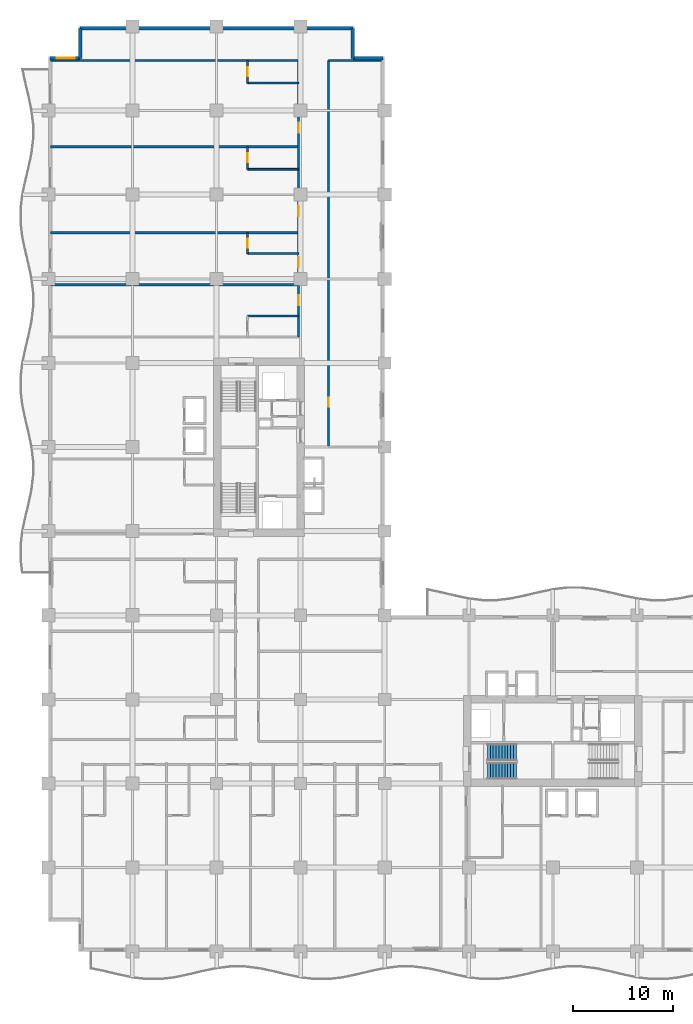
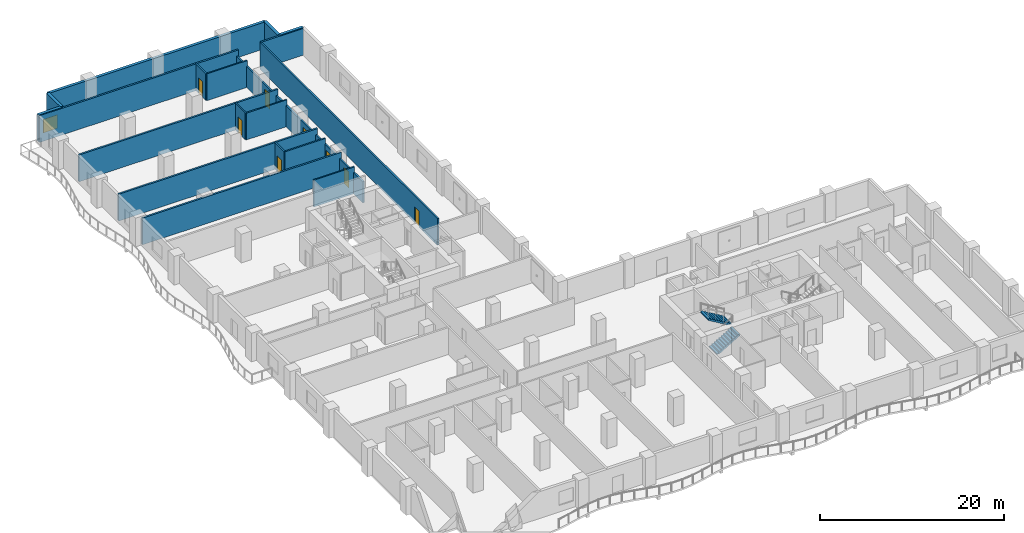
# One storey, part 11 of 18: 19 walls, 8 doors, 2 stair flights, 1 window, 9 openings, 1 element without a shape of its own.
"""IFC4 building model written with IfcOpenShell, lengths in metres."""

from ifc_helpers import new_model, si_unit, direction, frame, frame_2d, origin, place, context, subcontext, project, spatial, polyline, rectangle, outline, extrude, material, layer, layer_set, type_object, element, fill, aggregate, save


model = new_model("IFC4")

# Units and contexts
model_context = context("Model", 3, precision=1e-05, world=origin(), true_north=direction((0.0, 1.0)))
body_context = subcontext(model_context, "Body", "Model", "MODEL_VIEW")
ifc_project = project(units=[si_unit("LENGTHUNIT", "METRE"), si_unit("AREAUNIT", "SQUARE_METRE"), si_unit("VOLUMEUNIT", "CUBIC_METRE"), si_unit("PLANEANGLEUNIT", "RADIAN"), si_unit("MASSUNIT", "GRAM", prefix="KILO")], contexts=[model_context])

# Site, building, storey
site_placement = place(None, origin())
site = spatial("IfcSite", under=ifc_project, at=site_placement, CompositionType="ELEMENT")
building_placement = place(site_placement, origin())
building = spatial("IfcBuilding", under=site, at=building_placement, Name="Koriwani Terraces Tower", CompositionType="ELEMENT")
storey_placement = place(building_placement, frame((0.0, 0.0, 107.60009765625)))
storey = spatial("IfcBuildingStorey", under=building, at=storey_placement, Name="L25", CompositionType="ELEMENT", Elevation=107.60009765625)

# Wall, openings, doors
ifc_material_1 = material(Name="Autoclaved Cellular Concrete Blockwork", Category="masonry")
ifc_layer_1 = layer(ifc_material_1, 0.199951171875, Name="Autoclaved Cellular Concrete Blockwork")
ifc_layer_set_1 = layer_set([ifc_layer_1], Name="Autoclaved Cellular Concrete Blockwork")
wall_type_1 = type_object("IfcWallType", Name="WALL_CORRIDOR_200", PredefinedType="PARTITIONING", material=ifc_layer_set_1)
wall_1_placement = place(storey_placement, frame((25.0, 61.39990234375, 0.0), z_axis=(0.0, 0.0, 1.0), x_axis=(0.0, 1.0, 0.0)))
wall_1 = element("IfcWall", 1, at=wall_1_placement, inside=storey, type_object=wall_type_1, Name="L25 Interior Wall WCOR-L25-NE-0", PredefinedType="PARTITIONING", context=body_context, shape_type="SweptSolid", body=[
    extrude(rectangle(XDim=27.60009765625, YDim=0.199951171875, at=frame_2d((13.800048828125, 0.0))), origin(), (0.0, 0.0, 1.0), 2.7998046875),
])
opening_1_placement = place(wall_1_placement, frame((3.179931640625, 0.0, 0.0)))
opening_1 = element("IfcOpeningElement", 2, at=opening_1_placement, cuts=wall_1, Name="Opening D-05", PredefinedType="OPENING", context=body_context, shape_type="SweptSolid", body=[
    extrude(rectangle(XDim=1.0, YDim=2.14990234375, at=frame_2d((0.5, 1.074951171875))), frame((0.0, 0.10986328125, 0.0), z_axis=(0.0, -1.0, 0.0), x_axis=(1.0, 0.0, 0.0)), (0.0, 0.0, 1.0), 0.219970703125),
])
opening_2_placement = place(wall_1_placement, frame((6.969970703125, 0.0, 0.0)))
opening_2 = element("IfcOpeningElement", 3, at=opening_2_placement, cuts=wall_1, Name="Opening D-05", PredefinedType="OPENING", context=body_context, shape_type="SweptSolid", body=[
    extrude(rectangle(XDim=1.0, YDim=2.14990234375, at=frame_2d((0.5, 1.074951171875))), frame((0.0, 0.10986328125, 0.0), z_axis=(0.0, -1.0, 0.0), x_axis=(1.0, 0.0, 0.0)), (0.0, 0.0, 1.0), 0.219970703125),
])
opening_3_placement = place(wall_1_placement, frame((12.034912109375, 0.0, 0.0)))
opening_3 = element("IfcOpeningElement", 4, at=opening_3_placement, cuts=wall_1, Name="Opening D-05", PredefinedType="OPENING", context=body_context, shape_type="SweptSolid", body=[
    extrude(rectangle(XDim=1.0, YDim=2.14990234375, at=frame_2d((0.5, 1.074951171875))), frame((0.0, 0.10986328125, 0.0), z_axis=(0.0, -1.0, 0.0), x_axis=(1.0, 0.0, 0.0)), (0.0, 0.0, 1.0), 0.219970703125),
])
opening_4_placement = place(wall_1_placement, frame((20.385009765625, 0.0, 0.0)))
opening_4 = element("IfcOpeningElement", 5, at=opening_4_placement, cuts=wall_1, Name="Opening D-05", PredefinedType="OPENING", context=body_context, shape_type="SweptSolid", body=[
    extrude(rectangle(XDim=1.0, YDim=2.14990234375, at=frame_2d((0.5, 1.074951171875))), frame((0.0, 0.10986328125, 0.0), z_axis=(0.0, -1.0, 0.0), x_axis=(1.0, 0.0, 0.0)), (0.0, 0.0, 1.0), 0.219970703125),
])
ifc_material_2 = material(Name="Architectural Oak Fire Door", Category="wood")
door_type_1 = type_object("IfcDoorType", Name="DOOR_SUITE_ENTRY_1000X2150", OperationType="NOTDEFINED", PredefinedType="DOOR", material=ifc_material_2)
door_1_placement = place(opening_1_placement, origin())
door_1 = element("IfcDoor", 6, at=door_1_placement, inside=storey, type_object=door_type_1, Name="Luxury Hotel Suite 25NE1 Entrance Door", OperationType="SINGLE_SWING_RIGHT", OverallHeight=2.14990234375, OverallWidth=1.0, PredefinedType="DOOR", context=body_context, shape_type="SweptSolid", body=[
    extrude(rectangle(XDim=1.0, YDim=2.14990234375, at=frame_2d((0.5, 1.074951171875))), frame((0.0, 0.02490234375, 0.0), z_axis=(0.0, -1.0, 0.0), x_axis=(1.0, 0.0, 0.0)), (0.0, 0.0, 1.0), 0.050048828125),
])
fill(opening_1, door_1)
door_2_placement = place(opening_2_placement, origin())
door_2 = element("IfcDoor", 7, at=door_2_placement, inside=storey, type_object=door_type_1, Name="Luxury Hotel Suite 25NE2 Entrance Door", OperationType="SINGLE_SWING_RIGHT", OverallHeight=2.14990234375, OverallWidth=1.0, PredefinedType="DOOR", context=body_context, shape_type="SweptSolid", body=[
    extrude(rectangle(XDim=1.0, YDim=2.14990234375, at=frame_2d((0.5, 1.074951171875))), frame((0.0, 0.02490234375, 0.0), z_axis=(0.0, -1.0, 0.0), x_axis=(1.0, 0.0, 0.0)), (0.0, 0.0, 1.0), 0.050048828125),
])
fill(opening_2, door_2)
door_3_placement = place(opening_3_placement, origin())
door_3 = element("IfcDoor", 8, at=door_3_placement, inside=storey, type_object=door_type_1, Name="Luxury Hotel Suite 25NE3 Entrance Door", OperationType="SINGLE_SWING_RIGHT", OverallHeight=2.14990234375, OverallWidth=1.0, PredefinedType="DOOR", context=body_context, shape_type="SweptSolid", body=[
    extrude(rectangle(XDim=1.0, YDim=2.14990234375, at=frame_2d((0.5, 1.074951171875))), frame((0.0, 0.02490234375, 0.0), z_axis=(0.0, -1.0, 0.0), x_axis=(1.0, 0.0, 0.0)), (0.0, 0.0, 1.0), 0.050048828125),
])
fill(opening_3, door_3)
door_4_placement = place(opening_4_placement, origin())
door_4 = element("IfcDoor", 9, at=door_4_placement, inside=storey, type_object=door_type_1, Name="Luxury Hotel Suite 25NE4 Entrance Door", OperationType="SINGLE_SWING_RIGHT", OverallHeight=2.14990234375, OverallWidth=1.0, PredefinedType="DOOR", context=body_context, shape_type="SweptSolid", body=[
    extrude(rectangle(XDim=1.0, YDim=2.14990234375, at=frame_2d((0.5, 1.074951171875))), frame((0.0, 0.02490234375, 0.0), z_axis=(0.0, -1.0, 0.0), x_axis=(1.0, 0.0, 0.0)), (0.0, 0.0, 1.0), 0.050048828125),
])
fill(opening_4, door_4)

# Wall, opening, door
wall_2_placement = place(storey_placement, frame((28.0, 50.39990234375, 0.0), z_axis=(0.0, 0.0, 1.0), x_axis=(0.0, 1.0, 0.0)))
wall_2 = element("IfcWall", 10, at=wall_2_placement, inside=storey, type_object=wall_type_1, Name="L25 Interior Wall WNEC-W-L25", PredefinedType="PARTITIONING", context=body_context, shape_type="SweptSolid", body=[
    extrude(rectangle(XDim=38.60009765625, YDim=0.199951171875, at=frame_2d((19.300048828125, 0.0))), origin(), (0.0, 0.0, 1.0), 3.5498046875),
])
opening_5_placement = place(wall_2_placement, frame((4.0, 0.0, 0.0)))
opening_5 = element("IfcOpeningElement", 11, at=opening_5_placement, cuts=wall_2, Name="Opening D-06", PredefinedType="OPENING", context=body_context, shape_type="SweptSolid", body=[
    extrude(rectangle(XDim=0.919921875, YDim=2.10009765625, at=frame_2d((0.4599609375, 1.050048828125))), frame((0.0, 0.10986328125, 0.0), z_axis=(0.0, -1.0, 0.0), x_axis=(1.0, 0.0, 0.0)), (0.0, 0.0, 1.0), 0.219970703125),
])
door_type_2 = type_object("IfcDoorType", Name="DOOR_ROOM_INT_920X2100", OperationType="NOTDEFINED", PredefinedType="DOOR", material=ifc_material_2)
door_5_placement = place(opening_5_placement, origin())
door_5 = element("IfcDoor", 12, at=door_5_placement, inside=storey, type_object=door_type_2, Name="L25 North Court Study Door", OperationType="SINGLE_SWING_RIGHT", OverallHeight=2.10009765625, OverallWidth=0.919921875, PredefinedType="DOOR", context=body_context, shape_type="SweptSolid", body=[
    extrude(rectangle(XDim=0.919921875, YDim=2.10009765625, at=frame_2d((0.4599609375, 1.050048828125))), frame((0.0, 0.02490234375, 0.0), z_axis=(0.0, -1.0, 0.0), x_axis=(1.0, 0.0, 0.0)), (0.0, 0.0, 1.0), 0.050048828125),
])
fill(opening_5, door_5)

# Walls
ifc_layer_2 = layer(ifc_material_1, 0.219970703125, Name="Autoclaved Cellular Concrete Blockwork")
ifc_layer_set_2 = layer_set([ifc_layer_2], Name="Autoclaved Cellular Concrete Blockwork")
wall_type_2 = type_object("IfcWallType", Name="WALL_DEMISING_220", PredefinedType="PARTITIONING", material=ifc_layer_set_2)
for number, where, z_axis, x_axis, name in (
    (13, (0.199951171875, 66.60009765625, 0.0), (0.0, 0.0, 1.0), (1.0, 0.0, 0.0), "L25 Interior Wall WDEM-L25-NE-1"),
    (14, (0.199951171875, 71.800048828125, 0.0), (0.0, 0.0, 1.0), (1.0, 0.0, 0.0), "L25 Interior Wall WDEM-L25-NE-2"),
    (15, (0.199951171875, 80.39990234375, 0.0), (0.0, 0.0, 1.0), (1.0, 0.0, 0.0), "L25 Interior Wall WDEM-L25-NE-3"),
    (16, (0.199951171875, 89.0, 0.0), (0.0, 0.0, 1.0), (1.0, 0.0, 0.0), "L25 Interior Wall WDEME-L25-NE"),
):
    element("IfcWall", number, at=place(storey_placement, frame(where, z_axis=z_axis, x_axis=x_axis)), inside=storey, type_object=wall_type_2, Name=name, PredefinedType="PARTITIONING", context=body_context, shape_type="SweptSolid", body=[
        extrude(rectangle(XDim=24.97998046875, YDim=0.219970703125, at=frame_2d((12.489990234375, 0.0))), origin(), (0.0, 0.0, 1.0), 3.5498046875),
    ])
wall_3_placement = place(storey_placement, frame((28.0, 89.0, 0.0), z_axis=(0.0, 0.0, 1.0), x_axis=(1.0, 0.0, 0.0)))
element("IfcWall", 17, at=wall_3_placement, inside=storey, type_object=wall_type_2, Name="L25 Interior Wall WNEC-N-L25", PredefinedType="PARTITIONING", context=body_context, shape_type="SweptSolid", body=[
    extrude(rectangle(XDim=5.300048828125, YDim=0.219970703125, at=frame_2d((2.64990234375, 0.0))), origin(), (0.0, 0.0, 1.0), 3.5498046875),
])

# Wall, opening, window
ifc_material_3 = material(Name="Concrete C50/60", Category="concrete")
ifc_layer_3 = layer(ifc_material_3, 0.35009765625, Name="Concrete C50/60")
ifc_layer_set_3 = layer_set([ifc_layer_3], Name="Concrete C50/60")
wall_type_3 = type_object("IfcWallType", Name="WALL_EXT_BRUTALIST_350", PredefinedType="STANDARD", material=ifc_layer_set_3)
wall_4_placement = place(storey_placement, frame((0.175048828125, 89.22509765625, 0.0), z_axis=(0.0, 0.0, 1.0), x_axis=(1.0, 0.0, 0.0)))
wall_4 = element("IfcWall", 18, at=wall_4_placement, inside=storey, type_object=wall_type_3, Name="L25 Fair-Faced Brutalist Exterior Wall (N3)", PredefinedType="STANDARD", context=body_context, shape_type="SweptSolid", body=[
    extrude(rectangle(XDim=3.0, YDim=0.35009765625, at=frame_2d((1.5, 0.0))), origin(), (0.0, 0.0, 1.0), 3.5498046875),
])
opening_6_placement = place(wall_4_placement, frame((0.677490234375, 0.0, 0.85009765625)))
opening_6 = element("IfcOpeningElement", 19, at=opening_6_placement, cuts=wall_4, Name="Opening W-04", PredefinedType="OPENING", context=body_context, shape_type="SweptSolid", body=[
    extrude(rectangle(XDim=1.800048828125, YDim=1.800048828125, at=frame_2d((0.89990234375, 0.89990234375))), frame((0.0, 0.18505859375, 0.0), z_axis=(0.0, -1.0, 0.0), x_axis=(1.0, 0.0, 0.0)), (0.0, 0.0, 1.0), 0.3701171875),
])
ifc_material_4 = material(Name="Tempered Laminated Low-E Glass", Category="glass")
window_type = type_object("IfcWindowType", Name="WIN_RES_BED_1800X1800", PartitioningType="DOUBLE_PANEL_VERTICAL", PredefinedType="WINDOW", material=ifc_material_4)
window_placement = place(opening_6_placement, origin())
window = element("IfcWindow", 20, at=window_placement, inside=storey, type_object=window_type, Name="L25 Exterior Window (N3-R52)", OverallHeight=1.800048828125, OverallWidth=1.800048828125, PartitioningType="SINGLE_PANEL", PredefinedType="WINDOW", context=body_context, shape_type="SweptSolid", body=[
    extrude(rectangle(XDim=1.800048828125, YDim=1.800048828125, at=frame_2d((0.89990234375, 0.89990234375))), frame((0.0, 0.030029296875, 0.0), z_axis=(0.0, -1.0, 0.0), x_axis=(1.0, 0.0, 0.0)), (0.0, 0.0, 1.0), 0.06005859375),
])
fill(opening_6, window)

# Walls
wall_5_placement = place(storey_placement, frame((3.175048828125, 89.22509765625, 0.0), z_axis=(0.0, 0.0, 1.0), x_axis=(0.0, 1.0, 0.0)))
element("IfcWall", 21, at=wall_5_placement, inside=storey, type_object=wall_type_3, Name="L25 Fair-Faced Brutalist Exterior Wall (N4)", PredefinedType="STANDARD", context=body_context, shape_type="SweptSolid", body=[
    extrude(rectangle(XDim=3.0, YDim=0.35009765625, at=frame_2d((1.5, 0.0))), origin(), (0.0, 0.0, 1.0), 3.5498046875),
])
wall_6_placement = place(storey_placement, frame((3.175048828125, 92.22509765625, 0.0), z_axis=(0.0, 0.0, 1.0), x_axis=(1.0, 0.0, 0.0)))
element("IfcWall", 22, at=wall_6_placement, inside=storey, type_object=wall_type_3, Name="L25 Fair-Faced Brutalist Exterior Wall (N_TIP)", PredefinedType="STANDARD", context=body_context, shape_type="SweptSolid", body=[
    extrude(rectangle(XDim=27.25, YDim=0.35009765625, at=frame_2d((13.625, 0.0))), origin(), (0.0, 0.0, 1.0), 3.5498046875),
])
for number, where, z_axis, x_axis, name in (
    (23, (30.425048828125, 92.22509765625, 0.0), (0.0, 0.0, 1.0), (0.0, -1.0, 0.0), "L25 Fair-Faced Brutalist Exterior Wall (N6)"),
    (24, (30.425048828125, 89.22509765625, 0.0), (0.0, 0.0, 1.0), (1.0, 0.0, 0.0), "L25 Fair-Faced Brutalist Exterior Wall (N7)"),
):
    element("IfcWall", number, at=place(storey_placement, frame(where, z_axis=z_axis, x_axis=x_axis)), inside=storey, type_object=wall_type_3, Name=name, PredefinedType="STANDARD", context=body_context, shape_type="SweptSolid", body=[
        extrude(rectangle(XDim=3.0, YDim=0.35009765625, at=frame_2d((1.5, 0.0))), origin(), (0.0, 0.0, 1.0), 3.5498046875),
    ])
ifc_material_5 = material(Name="Fire-Rated Acoustic Gypsum Partition", Category="masonry")
ifc_layer_4 = layer(ifc_material_5, 0.179931640625, Name="Fire-Rated Acoustic Gypsum Partition")
ifc_layer_set_4 = layer_set([ifc_layer_4], Name="Fire-Rated Acoustic Gypsum Partition")
wall_type_4 = type_object("IfcWallType", Name="WALL_PLUMBING_180", PredefinedType="PLUMBINGWALL", material=ifc_layer_set_4)
wall_7_placement = place(storey_placement, frame((19.89990234375, 63.47998046875, 0.0), z_axis=(0.0, 0.0, 1.0), x_axis=(1.0, 0.0, 0.0)))
element("IfcWall", 25, at=wall_7_placement, inside=storey, type_object=wall_type_4, Name="L25 Interior Wall WBTH2-L25-NE-0", PredefinedType="PLUMBINGWALL", context=body_context, shape_type="SweptSolid", body=[
    extrude(rectangle(XDim=5.10009765625, YDim=0.179931640625, at=frame_2d((2.550048828125, 0.0))), origin(), (0.0, 0.0, 1.0), 3.5498046875),
])

# Wall, opening, door
wall_8_placement = place(storey_placement, frame((19.89990234375, 69.719970703125, 0.0), z_axis=(0.0, 0.0, 1.0), x_axis=(0.0, 1.0, 0.0)))
wall_8 = element("IfcWall", 26, at=wall_8_placement, inside=storey, type_object=wall_type_4, Name="L25 Interior Wall WBTH1-L25-NE-1", PredefinedType="PLUMBINGWALL", context=body_context, shape_type="SweptSolid", body=[
    extrude(rectangle(XDim=2.080078125, YDim=0.179931640625, at=frame_2d((1.0400390625, 0.0))), origin(), (0.0, 0.0, 1.0), 3.5498046875),
])
opening_7_placement = place(wall_8_placement, frame((0.590087890625, 0.0, 0.0)))
opening_7 = element("IfcOpeningElement", 27, at=opening_7_placement, cuts=wall_8, Name="Opening D-07", PredefinedType="OPENING", context=body_context, shape_type="SweptSolid", body=[
    extrude(rectangle(XDim=0.89990234375, YDim=2.10009765625, at=frame_2d((0.449951171875, 1.050048828125))), frame((0.0, 0.10009765625, 0.0), z_axis=(0.0, -1.0, 0.0), x_axis=(1.0, 0.0, 0.0)), (0.0, 0.0, 1.0), 0.199951171875),
])
door_type_3 = type_object("IfcDoorType", Name="DOOR_BATH_INT_900X2100", OperationType="NOTDEFINED", PredefinedType="DOOR", material=ifc_material_2)
door_6_placement = place(opening_7_placement, origin())
door_6 = element("IfcDoor", 28, at=door_6_placement, inside=storey, type_object=door_type_3, Name="En-Suite Bathroom 25NE2 Door", OperationType="SINGLE_SWING_LEFT", OverallHeight=2.10009765625, OverallWidth=0.89990234375, PredefinedType="DOOR", context=body_context, shape_type="SweptSolid", body=[
    extrude(rectangle(XDim=0.89990234375, YDim=2.10009765625, at=frame_2d((0.449951171875, 1.050048828125))), frame((0.0, 0.02490234375, 0.0), z_axis=(0.0, -1.0, 0.0), x_axis=(1.0, 0.0, 0.0)), (0.0, 0.0, 1.0), 0.050048828125),
])
fill(opening_7, door_6)

# Wall
wall_9_placement = place(storey_placement, frame((19.89990234375, 69.719970703125, 0.0), z_axis=(0.0, 0.0, 1.0), x_axis=(1.0, 0.0, 0.0)))
element("IfcWall", 29, at=wall_9_placement, inside=storey, type_object=wall_type_4, Name="L25 Interior Wall WBTH2-L25-NE-1", PredefinedType="PLUMBINGWALL", context=body_context, shape_type="SweptSolid", body=[
    extrude(rectangle(XDim=5.10009765625, YDim=0.179931640625, at=frame_2d((2.550048828125, 0.0))), origin(), (0.0, 0.0, 1.0), 3.5498046875),
])

# Wall, opening, door
wall_10_placement = place(storey_placement, frame((19.89990234375, 78.14990234375, 0.0), z_axis=(0.0, 0.0, 1.0), x_axis=(0.0, 1.0, 0.0)))
wall_10 = element("IfcWall", 30, at=wall_10_placement, inside=storey, type_object=wall_type_4, Name="L25 Interior Wall WBTH1-L25-NE-2", PredefinedType="PLUMBINGWALL", context=body_context, shape_type="SweptSolid", body=[
    extrude(rectangle(XDim=2.25, YDim=0.179931640625, at=frame_2d((1.125, 0.0))), origin(), (0.0, 0.0, 1.0), 3.5498046875),
])
opening_8_placement = place(wall_10_placement, frame((0.675048828125, 0.0, 0.0)))
opening_8 = element("IfcOpeningElement", 31, at=opening_8_placement, cuts=wall_10, Name="Opening D-07", PredefinedType="OPENING", context=body_context, shape_type="SweptSolid", body=[
    extrude(rectangle(XDim=0.89990234375, YDim=2.10009765625, at=frame_2d((0.449951171875, 1.050048828125))), frame((0.0, 0.10009765625, 0.0), z_axis=(0.0, -1.0, 0.0), x_axis=(1.0, 0.0, 0.0)), (0.0, 0.0, 1.0), 0.199951171875),
])
door_7_placement = place(opening_8_placement, origin())
door_7 = element("IfcDoor", 32, at=door_7_placement, inside=storey, type_object=door_type_3, Name="En-Suite Bathroom 25NE3 Door", OperationType="SINGLE_SWING_LEFT", OverallHeight=2.10009765625, OverallWidth=0.89990234375, PredefinedType="DOOR", context=body_context, shape_type="SweptSolid", body=[
    extrude(rectangle(XDim=0.89990234375, YDim=2.10009765625, at=frame_2d((0.449951171875, 1.050048828125))), frame((0.0, 0.02490234375, 0.0), z_axis=(0.0, -1.0, 0.0), x_axis=(1.0, 0.0, 0.0)), (0.0, 0.0, 1.0), 0.050048828125),
])
fill(opening_8, door_7)

# Wall
wall_11_placement = place(storey_placement, frame((19.89990234375, 78.14990234375, 0.0), z_axis=(0.0, 0.0, 1.0), x_axis=(1.0, 0.0, 0.0)))
element("IfcWall", 33, at=wall_11_placement, inside=storey, type_object=wall_type_4, Name="L25 Interior Wall WBTH2-L25-NE-2", PredefinedType="PLUMBINGWALL", context=body_context, shape_type="SweptSolid", body=[
    extrude(rectangle(XDim=5.10009765625, YDim=0.179931640625, at=frame_2d((2.550048828125, 0.0))), origin(), (0.0, 0.0, 1.0), 3.5498046875),
])

# Wall, opening, door
wall_12_placement = place(storey_placement, frame((19.89990234375, 86.75, 0.0), z_axis=(0.0, 0.0, 1.0), x_axis=(0.0, 1.0, 0.0)))
wall_12 = element("IfcWall", 34, at=wall_12_placement, inside=storey, type_object=wall_type_4, Name="L25 Interior Wall WBTH1-L25-NE-3", PredefinedType="PLUMBINGWALL", context=body_context, shape_type="SweptSolid", body=[
    extrude(rectangle(XDim=2.25, YDim=0.179931640625, at=frame_2d((1.125, 0.0))), origin(), (0.0, 0.0, 1.0), 3.5498046875),
])
opening_9_placement = place(wall_12_placement, frame((0.675048828125, 0.0, 0.0)))
opening_9 = element("IfcOpeningElement", 35, at=opening_9_placement, cuts=wall_12, Name="Opening D-07", PredefinedType="OPENING", context=body_context, shape_type="SweptSolid", body=[
    extrude(rectangle(XDim=0.89990234375, YDim=2.10009765625, at=frame_2d((0.449951171875, 1.050048828125))), frame((0.0, 0.10009765625, 0.0), z_axis=(0.0, -1.0, 0.0), x_axis=(1.0, 0.0, 0.0)), (0.0, 0.0, 1.0), 0.199951171875),
])
door_8_placement = place(opening_9_placement, origin())
door_8 = element("IfcDoor", 36, at=door_8_placement, inside=storey, type_object=door_type_3, Name="En-Suite Bathroom 25NE4 Door", OperationType="SINGLE_SWING_LEFT", OverallHeight=2.10009765625, OverallWidth=0.89990234375, PredefinedType="DOOR", context=body_context, shape_type="SweptSolid", body=[
    extrude(rectangle(XDim=0.89990234375, YDim=2.10009765625, at=frame_2d((0.449951171875, 1.050048828125))), frame((0.0, 0.02490234375, 0.0), z_axis=(0.0, -1.0, 0.0), x_axis=(1.0, 0.0, 0.0)), (0.0, 0.0, 1.0), 0.050048828125),
])
fill(opening_9, door_8)

# Wall
wall_13_placement = place(storey_placement, frame((19.89990234375, 86.75, 0.0), z_axis=(0.0, 0.0, 1.0), x_axis=(1.0, 0.0, 0.0)))
element("IfcWall", 37, at=wall_13_placement, inside=storey, type_object=wall_type_4, Name="L25 Interior Wall WBTH2-L25-NE-3", PredefinedType="PLUMBINGWALL", context=body_context, shape_type="SweptSolid", body=[
    extrude(rectangle(XDim=5.10009765625, YDim=0.179931640625, at=frame_2d((2.550048828125, 0.0))), origin(), (0.0, 0.0, 1.0), 3.5498046875),
])

# Stair, stair flights
ifc_material_6 = material(Name="Concrete C40/50", Category="concrete")
stair_type = type_object("IfcStairType", Name="STAIR_CORE_DOGLEG_1650", PredefinedType="TWO_STRAIGHT_RUN_STAIR", material=ifc_material_6)
stair_placement = place(storey_placement, origin())
stair = element("IfcStair", 38, at=stair_placement, inside=storey, type_object=stair_type, Name="L25 East Core Exit Stair 1", PredefinedType="HALF_TURN_STAIR")
stair_flight_type = type_object("IfcStairFlightType", Name="STAIR_FLIGHT_RC_1650", PredefinedType="STRAIGHT", material=ifc_material_6)
stair_flight_1_placement = place(storey_placement, frame((43.85009765625, 18.074951171875, 0.0), z_axis=(0.0, 0.0, 1.0), x_axis=(1.0, 0.0, 0.0)))
stair_flight_1 = element("IfcStairFlight", 39, at=stair_flight_1_placement, type_object=stair_flight_type, Name="ST-E1 flight 1", NumberOfRisers=11, NumberOfTreads=10, PredefinedType="STRAIGHT", RiserHeight=0.172727273, TreadLength=0.29, context=body_context, shape_type="SweptSolid", body=[
    extrude(outline(polyline([(0.0, 0.0), (0.0, 0.172607421875), (0.2900390625, 0.172607421875), (0.2900390625, 0.345458984375), (0.580078125, 0.345458984375), (0.580078125, 0.51806640625), (0.8701171875, 0.51806640625), (0.8701171875, 0.69091796875), (1.159912109375, 0.69091796875), (1.159912109375, 0.863525390625), (1.449951171875, 0.863525390625), (1.449951171875, 1.036376953125), (1.739990234375, 1.036376953125), (1.739990234375, 1.208984375), (2.030029296875, 1.208984375), (2.030029296875, 1.3818359375), (2.320068359375, 1.3818359375), (2.320068359375, 1.554443359375), (2.610107421875, 1.554443359375), (2.610107421875, 1.727294921875), (2.89990234375, 1.727294921875), (2.89990234375, 1.89990234375), (2.89990234375, 1.517822265625), (0.3515625, 0.0), (0.0, 0.0)])), frame((0.0, 0.824951171875, 0.0), z_axis=(0.0, -1.0, 0.0), x_axis=(1.0, 0.0, 0.0)), (0.0, 0.0, 1.0), 1.64990234375),
])
stair_flight_2_placement = place(storey_placement, frame((46.75, 19.925048828125, 1.89990234375), z_axis=(0.0, 0.0, 1.0), x_axis=(-1.0, 0.0, 0.0)))
stair_flight_2 = element("IfcStairFlight", 40, at=stair_flight_2_placement, type_object=stair_flight_type, Name="ST-E1 flight 2", NumberOfRisers=11, NumberOfTreads=10, PredefinedType="STRAIGHT", RiserHeight=0.172727273, TreadLength=0.29, context=body_context, shape_type="SweptSolid", body=[
    extrude(outline(polyline([(0.0, 0.0), (0.0, 0.172607421875), (0.2900390625, 0.172607421875), (0.2900390625, 0.345458984375), (0.580078125, 0.345458984375), (0.580078125, 0.51806640625), (0.8701171875, 0.51806640625), (0.8701171875, 0.69091796875), (1.159912109375, 0.69091796875), (1.159912109375, 0.863525390625), (1.449951171875, 0.863525390625), (1.449951171875, 1.036376953125), (1.739990234375, 1.036376953125), (1.739990234375, 1.208984375), (2.030029296875, 1.208984375), (2.030029296875, 1.3818359375), (2.320068359375, 1.3818359375), (2.320068359375, 1.554443359375), (2.610107421875, 1.554443359375), (2.610107421875, 1.727294921875), (2.89990234375, 1.727294921875), (2.89990234375, 1.89990234375), (2.89990234375, 1.517822265625), (0.3515625, 0.0), (0.0, 0.0)])), frame((0.0, 0.824951171875, 0.0), z_axis=(0.0, -1.0, 0.0), x_axis=(1.0, 0.0, 0.0)), (0.0, 0.0, 1.0), 1.64990234375),
])
aggregate(stair, [stair_flight_1, stair_flight_2])

save(model, "model.ifc")
